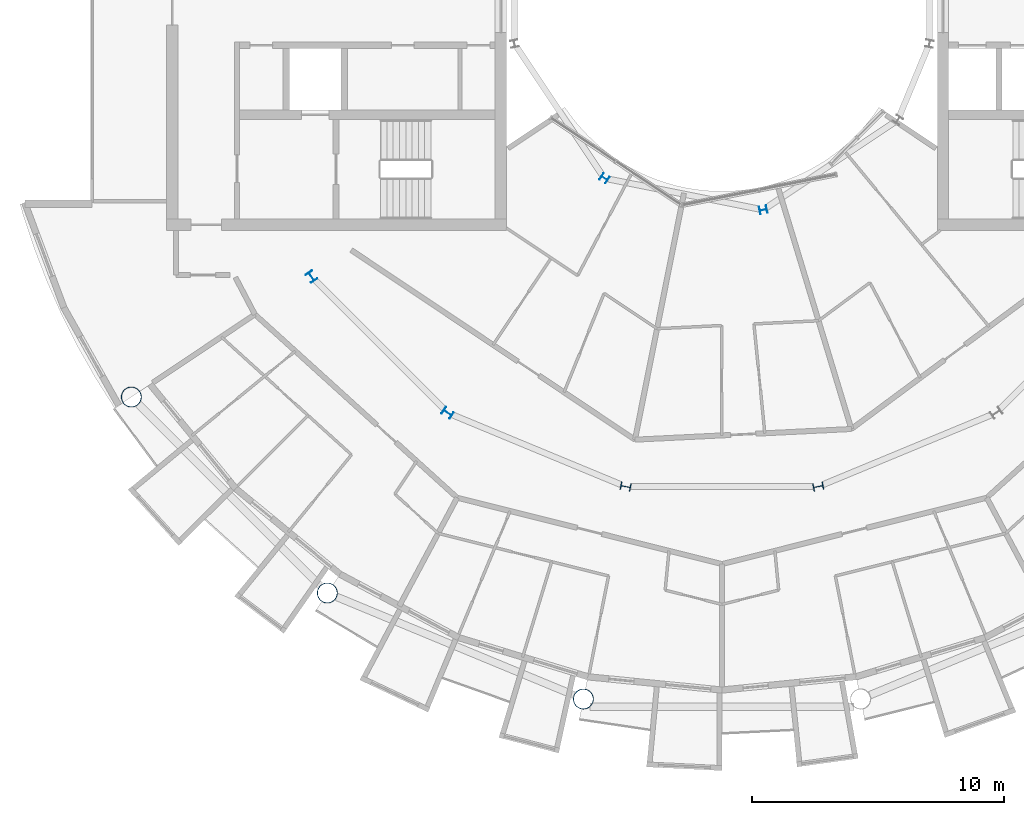
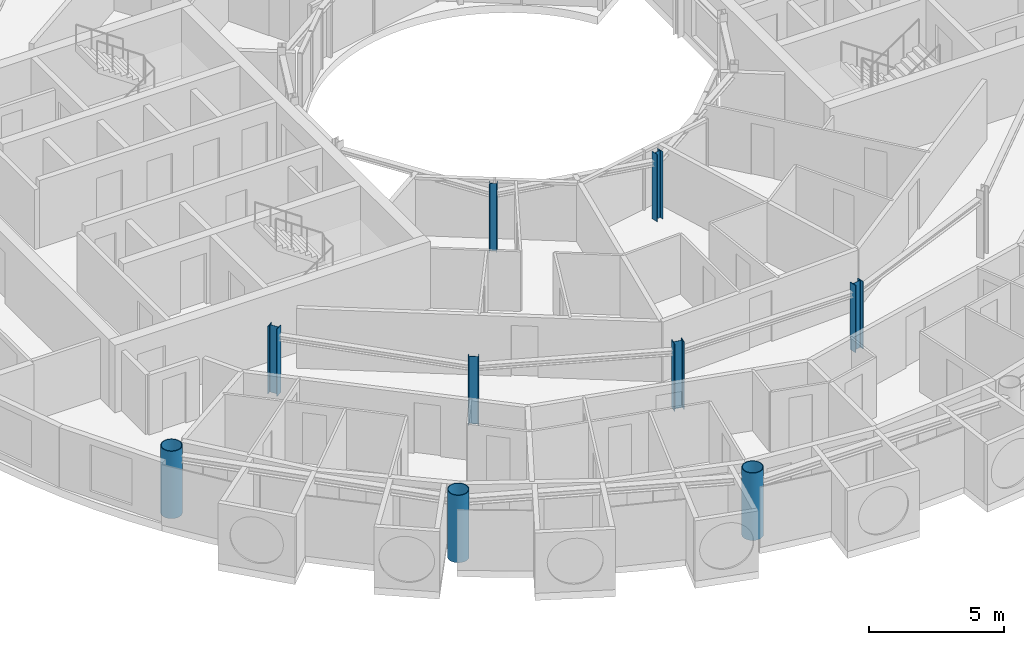
# One storey, part 1 of 29: 9 columns.
"""IFC4 building model written with IfcOpenShell, lengths in metres."""

from ifc_helpers import new_model, si_unit, direction, frame, origin, origin_2d, place, context, subcontext, project, spatial, hollow_circle, i_section, extrude, material, material_profile, profile_set, type_object, element, save


model = new_model("IFC4")

# Units and contexts
model_context = context("Model", 3, precision=1e-05, world=origin(), true_north=direction((0.0, 1.0)))
body_context = subcontext(model_context, "Body", "Model", "MODEL_VIEW")
ifc_project = project(units=[si_unit("LENGTHUNIT", "METRE"), si_unit("AREAUNIT", "SQUARE_METRE"), si_unit("VOLUMEUNIT", "CUBIC_METRE"), si_unit("PLANEANGLEUNIT", "RADIAN"), si_unit("MASSUNIT", "GRAM", prefix="KILO")], contexts=[model_context])

# Site, building, storey
site_placement = place(None, origin())
site = spatial("IfcSite", under=ifc_project, at=site_placement, CompositionType="ELEMENT")
building_placement = place(site_placement, origin())
building = spatial("IfcBuilding", under=site, at=building_placement, Name="Maasbend Ring Residences", CompositionType="ELEMENT")
storey_placement = place(building_placement, frame((0.0, 0.0, 193.25)))
storey = spatial("IfcBuildingStorey", under=building, at=storey_placement, Name="L55", CompositionType="ELEMENT", Elevation=193.25)

# Columns
ifc_material_1 = material(Name="Composite concrete-filled steel tube S460NH / C80/95", Category="concrete")
ifc_material_profile_1 = material_profile(ifc_material_1, hollow_circle(Radius=0.406494140625, WallThickness=0.030029296875, at=origin_2d()), Name="Composite tube column CHS 813x30")
ifc_profile_set_1 = profile_set([ifc_material_profile_1], Name="Composite concrete-filled steel tube S460NH / C80/95")
column_type_1 = type_object("IfcColumnType", Name="Composite tube column CHS 813x30", PredefinedType="COLUMN", material=ifc_profile_set_1)
for number, where, z_axis, x_axis, name in (
    (1, (-23.447509765625, -15.6669921875, 0.0), (0.0, 0.0, 1.0), (1.0, 0.0, 0.0), "Outer column R10"),
    (2, (-15.6669921875, -23.447509765625, 0.0), (0.0, 0.0, 1.0), (1.0, 0.0, 0.0), "Outer column R11"),
    (3, (-5.50146484375, -27.658203125, 0.0), (0.0, 0.0, 1.0), (1.0, 0.0, 0.0), "Outer column R12"),
):
    element("IfcColumn", number, at=place(storey_placement, frame(where, z_axis=z_axis, x_axis=x_axis)), inside=storey, type_object=column_type_1, Name=name, PredefinedType="COLUMN", context=body_context, shape_type="SweptSolid", body=[
        extrude(hollow_circle(Radius=0.406494140625, WallThickness=0.030029296875, at=origin_2d()), origin(), (0.0, 0.0, 1.0), 3.050048828125),
    ])
ifc_material_2 = material(Name="Steel S355J2", Category="steel")
ifc_material_profile_2 = material_profile(ifc_material_2, i_section(OverallWidth=0.300048828125, OverallDepth=0.2900390625, WebThickness=0.008544921875, FlangeThickness=0.013916015625, FilletRadius=0.027099609375, at=origin_2d()), Name="HEA 300")
ifc_profile_set_2 = profile_set([ifc_material_profile_2], Name="Steel S355J2")
column_type_2 = type_object("IfcColumnType", Name="Steel column HEA 300", PredefinedType="COLUMN", material=ifc_profile_set_2)
for number, where, z_axis, x_axis, name in (
    (4, (-4.666748046875, -6.984375, 0.0), (0.0, 0.0, 1.0), (-0.55557023302, -0.831469612303, 0.0), "Well ring column R11"),
    (5, (1.638916015625, -8.238525390625, 0.0), (0.0, 0.0, 1.0), (0.195090322016, -0.980785280403, 0.0), "Well ring column R13"),
):
    element("IfcColumn", number, at=place(storey_placement, frame(where, z_axis=z_axis, x_axis=x_axis)), inside=storey, type_object=column_type_2, Name=name, PredefinedType="COLUMN", context=body_context, shape_type="SweptSolid", body=[
        extrude(i_section(OverallWidth=0.300048828125, OverallDepth=0.2900390625, WebThickness=0.008544921875, FlangeThickness=0.013916015625, FilletRadius=0.027099609375, at=origin_2d()), origin(), (0.0, 0.0, 1.0), 3.050048828125),
    ])
ifc_material_3 = material(Name="Steel S355J2", Category="steel")
ifc_material_profile_3 = material_profile(ifc_material_3, i_section(OverallWidth=0.300048828125, OverallDepth=0.39990234375, WebThickness=0.013427734375, FlangeThickness=0.02392578125, FilletRadius=0.027099609375, at=origin_2d()), Name="HEB 400")
ifc_profile_set_3 = profile_set([ifc_material_profile_3], Name="Steel S355J2")
column_type_3 = type_object("IfcColumnType", Name="Steel column HEB 400", PredefinedType="COLUMN", material=ifc_profile_set_3)
for number, where, z_axis, x_axis, name in (
    (6, (-16.296875, -10.88916015625, 0.0), (0.0, 0.0, 1.0), (-0.831469612303, -0.55557023302, 0.0), "Corridor ring column R10"),
    (7, (-10.88916015625, -16.296875, 0.0), (0.0, 0.0, 1.0), (-0.55557023302, -0.831469612303, 0.0), "Corridor ring column R11"),
    (8, (-3.82373046875, -19.223388671875, 0.0), (0.0, 0.0, 1.0), (-0.195090322016, -0.980785280403, 0.0), "Corridor ring column R12"),
    (9, (3.82373046875, -19.223388671875, 0.0), (0.0, 0.0, 1.0), (0.195090322016, -0.980785280403, 0.0), "Corridor ring column R13"),
):
    element("IfcColumn", number, at=place(storey_placement, frame(where, z_axis=z_axis, x_axis=x_axis)), inside=storey, type_object=column_type_3, Name=name, PredefinedType="COLUMN", context=body_context, shape_type="SweptSolid", body=[
        extrude(i_section(OverallWidth=0.300048828125, OverallDepth=0.39990234375, WebThickness=0.013427734375, FlangeThickness=0.02392578125, FilletRadius=0.027099609375, at=origin_2d()), origin(), (0.0, 0.0, 1.0), 3.050048828125),
    ])

save(model, "model.ifc")
